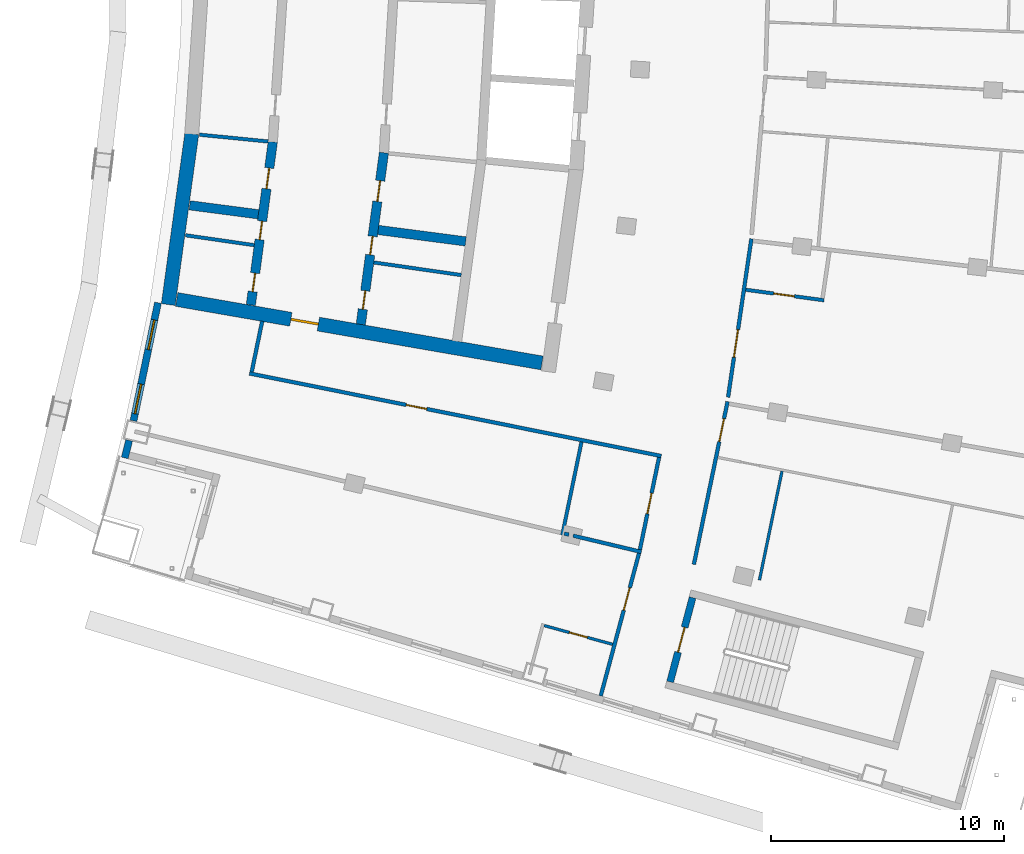
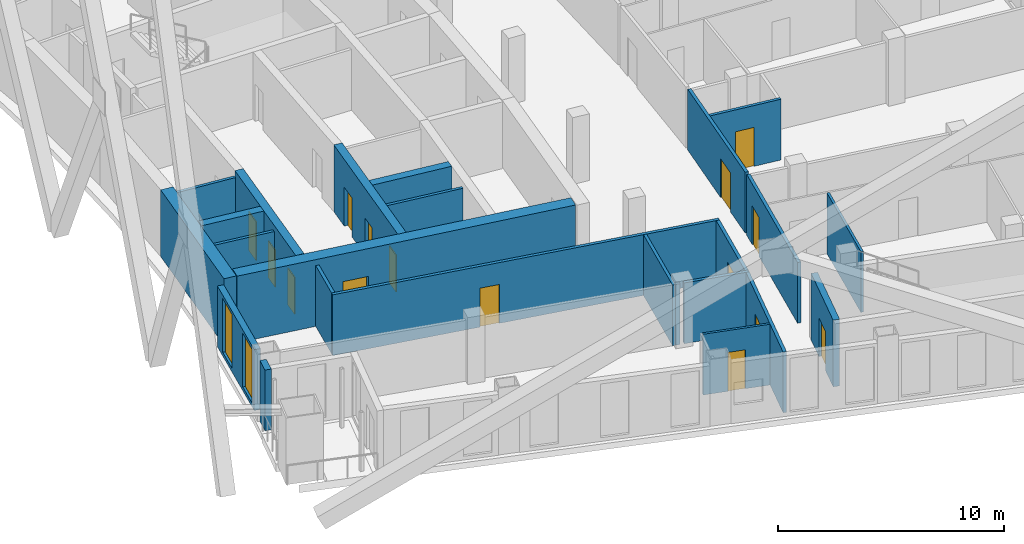
# One storey, part 10 of 20: 24 walls, 15 doors, 2 windows, 17 openings.
"""IFC4 building model written with IfcOpenShell, lengths in metres."""

from ifc_helpers import new_model, si_unit, direction, frame, frame_2d, origin, place, context, subcontext, project, spatial, rectangle, extrude, material, layer, layer_set, type_object, element, fill, save


model = new_model("IFC4")

# Units and contexts
model_context = context("Model", 3, precision=1e-05, world=origin(), true_north=direction((0.0, 1.0)))
body_context = subcontext(model_context, "Body", "Model", "MODEL_VIEW")
ifc_project = project(units=[si_unit("LENGTHUNIT", "METRE"), si_unit("AREAUNIT", "SQUARE_METRE"), si_unit("VOLUMEUNIT", "CUBIC_METRE"), si_unit("PLANEANGLEUNIT", "RADIAN"), si_unit("MASSUNIT", "GRAM", prefix="KILO")], contexts=[model_context])

# Site, building, storey
site_placement = place(None, origin())
site = spatial("IfcSite", under=ifc_project, at=site_placement, CompositionType="ELEMENT")
building_placement = place(site_placement, origin())
building = spatial("IfcBuilding", under=site, at=building_placement, Name="Alderwake Tower", CompositionType="ELEMENT")
storey_placement = place(building_placement, frame((0.0, 0.0, 189.199951171875)))
storey = spatial("IfcBuildingStorey", under=building, at=storey_placement, Name="L46", CompositionType="ELEMENT", Elevation=189.199951171875)

# Walls
ifc_material_1 = material(Name="Gypsum shaft wall system, rated")
ifc_layer_1 = layer(ifc_material_1, 0.14990234375)
ifc_layer_set_1 = layer_set([ifc_layer_1], Name="Core room partition 150")
wall_type_1 = type_object("IfcWallType", Name="Core room partition 150", PredefinedType="PARTITIONING", material=ifc_layer_set_1)
wall_1_placement = place(storey_placement, frame((16.064453125, 47.125, 0.0), z_axis=(0.0, 0.0, 1.0), x_axis=(0.989723849993, -0.142991960454, 0.0)))
element("IfcWall", 1, at=wall_1_placement, inside=storey, type_object=wall_type_1, Name="CW/L46/PR-150_+0", PredefinedType="PARTITIONING", context=body_context, shape_type="SweptSolid", body=[
    extrude(rectangle(XDim=2.98095703125, YDim=0.14990234375, at=frame_2d((1.490478515625, 0.0))), origin(), (0.0, 0.0, 1.0), 3.280029296875),
])
wall_2_placement = place(storey_placement, frame((24.158203125, 45.9560546875, 0.0), z_axis=(0.0, 0.0, 1.0), x_axis=(0.989724412664, -0.142988065858, 0.0)))
element("IfcWall", 2, at=wall_2_placement, inside=storey, type_object=wall_type_1, Name="CW/L46/PR-150_+86", PredefinedType="PARTITIONING", context=body_context, shape_type="SweptSolid", body=[
    extrude(rectangle(XDim=3.795654296875, YDim=0.14990234375, at=frame_2d((1.89794921875, 0.0))), origin(), (0.0, 0.0, 1.0), 3.280029296875),
])
wall_3_placement = place(storey_placement, frame((16.659423828125, 51.448486328125, 0.0), z_axis=(0.0, 0.0, 1.0), x_axis=(0.995154514796, -0.098323403527, 0.0)))
element("IfcWall", 3, at=wall_3_placement, inside=storey, type_object=wall_type_1, Name="CW/L46/PR-103_+0", PredefinedType="PARTITIONING", context=body_context, shape_type="SweptSolid", body=[
    extrude(rectangle(XDim=2.9697265625, YDim=0.14990234375, at=frame_2d((1.48486328125, 0.0))), origin(), (0.0, 0.0, 1.0), 3.280029296875),
])
ifc_material_2 = material(Name="Concrete C70/85", Category="concrete")
ifc_layer_2 = layer(ifc_material_2, 0.60009765625)
ifc_layer_set_2 = layer_set([ifc_layer_2], Name="Core wall outer 600 C70-85")
wall_type_2 = type_object("IfcWallType", Name="Core wall outer 600 C70-85", PredefinedType="SHEAR", material=ifc_layer_set_2)
wall_4_placement = place(storey_placement, frame((15.321533203125, 44.146240234375, 0.0), z_axis=(0.0, 0.0, 1.0), x_axis=(0.136316498814, 0.990665338119, 0.0)))
element("IfcWall", 4, at=wall_4_placement, inside=storey, type_object=wall_type_2, Name="Core wall CW.037", PredefinedType="SHEAR", context=body_context, shape_type="SweptSolid", body=[
    extrude(rectangle(XDim=7.41455078125, YDim=0.60009765625, at=frame_2d((3.707275390625, 0.0))), origin(), (0.0, 0.0, 1.0), 3.60009765625),
])

# Wall, opening, door
wall_5_placement = place(storey_placement, frame((31.386962890625, 41.63525390625, 0.0), z_axis=(0.0, 0.0, 1.0), x_axis=(-0.985223108003, 0.171275881127, 0.0)))
wall_5 = element("IfcWall", 5, at=wall_5_placement, inside=storey, type_object=wall_type_2, Name="Core wall CW.072", PredefinedType="SHEAR", context=body_context, shape_type="SweptSolid", body=[
    extrude(rectangle(XDim=15.937744140625, YDim=0.60009765625, at=frame_2d((7.96875, 0.0))), origin(), (0.0, 0.0, 1.0), 3.60009765625),
])
opening_1_placement = place(wall_5_placement, frame((9.757568359375, 0.0, 0.0)))
opening_1 = element("IfcOpeningElement", 6, at=opening_1_placement, cuts=wall_5, Name="Opening C003", PredefinedType="OPENING", context=body_context, shape_type="SweptSolid", body=[
    extrude(rectangle(XDim=1.199951171875, YDim=2.10009765625, at=frame_2d((0.60009765625, 1.050048828125))), frame((0.0, 0.31005859375, 0.0), z_axis=(0.0, -1.0, 0.0), x_axis=(1.0, 0.0, 0.0)), (0.0, 0.0, 1.0), 0.6201171875),
])
ifc_material_3 = material(Name="Steel-framed fire door leaf", Category="steel")
door_type_1 = type_object("IfcDoorType", Name="Core lobby exit door 1200 fire-rated", OperationType="SINGLE_SWING_LEFT", PredefinedType="DOOR", material=ifc_material_3)
door_1_placement = place(opening_1_placement, origin())
door_1 = element("IfcDoor", 7, at=door_1_placement, inside=storey, type_object=door_type_1, Name="Lobby door", OperationType="SINGLE_SWING_LEFT", OverallHeight=2.10009765625, OverallWidth=1.199951171875, PredefinedType="DOOR", context=body_context, shape_type="SweptSolid", body=[
    extrude(rectangle(XDim=1.199951171875, YDim=2.10009765625, at=frame_2d((0.60009765625, 1.050048828125))), frame((0.0, 0.050048828125, 0.0), z_axis=(0.0, -1.0, 0.0), x_axis=(1.0, 0.0, 0.0)), (0.0, 0.0, 1.0), 0.10009765625),
])
fill(opening_1, door_1)

# Wall, openings, doors
ifc_material_4 = material(Name="Concrete C70/85", Category="concrete")
ifc_layer_3 = layer(ifc_material_4, 0.39990234375)
ifc_layer_set_3 = layer_set([ifc_layer_3], Name="Core wall spine 400 C70-85")
wall_type_3 = type_object("IfcWallType", Name="Core wall spine 400 C70-85", PredefinedType="SHEAR", material=ifc_layer_set_3)
wall_6_placement = place(storey_placement, frame((19.814697265625, 51.143798828125, 0.0), z_axis=(0.0, 0.0, 1.0), x_axis=(-0.133333838703, -0.991071181831, 0.0)))
wall_6 = element("IfcWall", 8, at=wall_6_placement, inside=storey, type_object=wall_type_3, Name="Core wall CW.033", PredefinedType="SHEAR", context=body_context, shape_type="SweptSolid", body=[
    extrude(rectangle(XDim=7.078857421875, YDim=0.39990234375, at=frame_2d((3.53955078125, 0.0))), origin(), (0.0, 0.0, 1.0), 3.60009765625),
])
opening_2_placement = place(wall_6_placement, frame((5.69677734375, 0.0, 0.0)))
opening_2 = element("IfcOpeningElement", 9, at=opening_2_placement, cuts=wall_6, Name="Opening C008", PredefinedType="OPENING", context=body_context, shape_type="SweptSolid", body=[
    extrude(rectangle(XDim=0.800048828125, YDim=2.0, at=frame_2d((0.39990234375, 1.0))), frame((0.0, 0.2099609375, 0.0), z_axis=(0.0, -1.0, 0.0), x_axis=(1.0, 0.0, 0.0)), (0.0, 0.0, 1.0), 0.419921875),
])
opening_3_placement = place(wall_6_placement, frame((3.443115234375, 0.0, 0.0)))
opening_3 = element("IfcOpeningElement", 10, at=opening_3_placement, cuts=wall_6, Name="Opening C012", PredefinedType="OPENING", context=body_context, shape_type="SweptSolid", body=[
    extrude(rectangle(XDim=0.800048828125, YDim=2.0, at=frame_2d((0.39990234375, 1.0))), frame((0.0, 0.2099609375, 0.0), z_axis=(0.0, -1.0, 0.0), x_axis=(1.0, 0.0, 0.0)), (0.0, 0.0, 1.0), 0.419921875),
])
opening_4_placement = place(wall_6_placement, frame((1.13916015625, 0.0, 0.0)))
opening_4 = element("IfcOpeningElement", 11, at=opening_4_placement, cuts=wall_6, Name="Opening C039", PredefinedType="OPENING", context=body_context, shape_type="SweptSolid", body=[
    extrude(rectangle(XDim=0.89990234375, YDim=2.10009765625, at=frame_2d((0.449951171875, 1.050048828125))), frame((0.0, 0.2099609375, 0.0), z_axis=(0.0, -1.0, 0.0), x_axis=(1.0, 0.0, 0.0)), (0.0, 0.0, 1.0), 0.419921875),
])
ifc_material_5 = material(Name="Painted steel leaf", Category="steel")
door_type_2 = type_object("IfcDoorType", Name="Core room door 900", OperationType="SINGLE_SWING_LEFT", PredefinedType="DOOR", material=ifc_material_5)
door_2_placement = place(opening_4_placement, origin())
door_2 = element("IfcDoor", 12, at=door_2_placement, inside=storey, type_object=door_type_2, Name="Room door", OperationType="SINGLE_SWING_LEFT", OverallHeight=2.10009765625, OverallWidth=0.89990234375, PredefinedType="DOOR", context=body_context, shape_type="SweptSolid", body=[
    extrude(rectangle(XDim=0.89990234375, YDim=2.10009765625, at=frame_2d((0.449951171875, 1.050048828125))), frame((0.0, 0.02490234375, 0.0), z_axis=(0.0, -1.0, 0.0), x_axis=(1.0, 0.0, 0.0)), (0.0, 0.0, 1.0), 0.050048828125),
])
fill(opening_4, door_2)
ifc_material_6 = material(Name="Painted steel leaf, rated", Category="steel")
door_type_3 = type_object("IfcDoorType", Name="Riser access door 800", OperationType="SINGLE_SWING_LEFT", PredefinedType="DOOR", material=ifc_material_6)
door_3_placement = place(opening_2_placement, origin())
door_3 = element("IfcDoor", 13, at=door_3_placement, inside=storey, type_object=door_type_3, Name="Riser access door", OperationType="SINGLE_SWING_LEFT", OverallHeight=2.0, OverallWidth=0.800048828125, PredefinedType="DOOR", context=body_context, shape_type="SweptSolid", body=[
    extrude(rectangle(XDim=0.800048828125, YDim=2.0, at=frame_2d((0.39990234375, 1.0))), frame((0.0, 0.02490234375, 0.0), z_axis=(0.0, -1.0, 0.0), x_axis=(1.0, 0.0, 0.0)), (0.0, 0.0, 1.0), 0.050048828125),
])
fill(opening_2, door_3)
door_4_placement = place(opening_3_placement, origin())
door_4 = element("IfcDoor", 14, at=door_4_placement, inside=storey, type_object=door_type_3, Name="Riser access door", OperationType="SINGLE_SWING_RIGHT", OverallHeight=2.0, OverallWidth=0.800048828125, PredefinedType="DOOR", context=body_context, shape_type="SweptSolid", body=[
    extrude(rectangle(XDim=0.800048828125, YDim=2.0, at=frame_2d((0.39990234375, 1.0))), frame((0.0, 0.02490234375, 0.0), z_axis=(0.0, -1.0, 0.0), x_axis=(1.0, 0.0, 0.0)), (0.0, 0.0, 1.0), 0.050048828125),
])
fill(opening_3, door_4)

wall_7_placement = place(storey_placement, frame((23.597412109375, 43.29248046875, 0.0), z_axis=(0.0, 0.0, 1.0), x_axis=(0.133499326361, 0.99104890387, 0.0)))
wall_7 = element("IfcWall", 15, at=wall_7_placement, inside=storey, type_object=wall_type_3, Name="Core wall CW.047", PredefinedType="SHEAR", context=body_context, shape_type="SweptSolid", body=[
    extrude(rectangle(XDim=7.44677734375, YDim=0.39990234375, at=frame_2d((3.723388671875, 0.0))), origin(), (0.0, 0.0, 1.0), 3.60009765625),
])
opening_5_placement = place(wall_7_placement, frame((0.65771484375, 0.0, 0.0)))
opening_5 = element("IfcOpeningElement", 16, at=opening_5_placement, cuts=wall_7, Name="Opening C015", PredefinedType="OPENING", context=body_context, shape_type="SweptSolid", body=[
    extrude(rectangle(XDim=0.800048828125, YDim=2.0, at=frame_2d((0.39990234375, 1.0))), frame((0.0, 0.2099609375, 0.0), z_axis=(0.0, -1.0, 0.0), x_axis=(1.0, 0.0, 0.0)), (0.0, 0.0, 1.0), 0.419921875),
])
opening_6_placement = place(wall_7_placement, frame((3.019287109375, 0.0, 0.0)))
opening_6 = element("IfcOpeningElement", 17, at=opening_6_placement, cuts=wall_7, Name="Opening C019", PredefinedType="OPENING", context=body_context, shape_type="SweptSolid", body=[
    extrude(rectangle(XDim=0.800048828125, YDim=2.0, at=frame_2d((0.39990234375, 1.0))), frame((0.0, 0.2099609375, 0.0), z_axis=(0.0, -1.0, 0.0), x_axis=(1.0, 0.0, 0.0)), (0.0, 0.0, 1.0), 0.419921875),
])
opening_7_placement = place(wall_7_placement, frame((5.331298828125, 0.0, 0.0)))
opening_7 = element("IfcOpeningElement", 18, at=opening_7_placement, cuts=wall_7, Name="Opening C045", PredefinedType="OPENING", context=body_context, shape_type="SweptSolid", body=[
    extrude(rectangle(XDim=0.89990234375, YDim=2.10009765625, at=frame_2d((0.449951171875, 1.050048828125))), frame((0.0, 0.2099609375, 0.0), z_axis=(0.0, -1.0, 0.0), x_axis=(1.0, 0.0, 0.0)), (0.0, 0.0, 1.0), 0.419921875),
])
door_5_placement = place(opening_7_placement, origin())
door_5 = element("IfcDoor", 19, at=door_5_placement, inside=storey, type_object=door_type_2, Name="Room door", OperationType="SINGLE_SWING_LEFT", OverallHeight=2.10009765625, OverallWidth=0.89990234375, PredefinedType="DOOR", context=body_context, shape_type="SweptSolid", body=[
    extrude(rectangle(XDim=0.89990234375, YDim=2.10009765625, at=frame_2d((0.449951171875, 1.050048828125))), frame((0.0, 0.02490234375, 0.0), z_axis=(0.0, -1.0, 0.0), x_axis=(1.0, 0.0, 0.0)), (0.0, 0.0, 1.0), 0.050048828125),
])
fill(opening_7, door_5)
door_6_placement = place(opening_5_placement, origin())
door_6 = element("IfcDoor", 20, at=door_6_placement, inside=storey, type_object=door_type_3, Name="Riser access door", OperationType="SINGLE_SWING_LEFT", OverallHeight=2.0, OverallWidth=0.800048828125, PredefinedType="DOOR", context=body_context, shape_type="SweptSolid", body=[
    extrude(rectangle(XDim=0.800048828125, YDim=2.0, at=frame_2d((0.39990234375, 1.0))), frame((0.0, 0.02490234375, 0.0), z_axis=(0.0, -1.0, 0.0), x_axis=(1.0, 0.0, 0.0)), (0.0, 0.0, 1.0), 0.050048828125),
])
fill(opening_5, door_6)
door_7_placement = place(opening_6_placement, origin())
door_7 = element("IfcDoor", 21, at=door_7_placement, inside=storey, type_object=door_type_3, Name="Riser access door", OperationType="SINGLE_SWING_RIGHT", OverallHeight=2.0, OverallWidth=0.800048828125, PredefinedType="DOOR", context=body_context, shape_type="SweptSolid", body=[
    extrude(rectangle(XDim=0.800048828125, YDim=2.0, at=frame_2d((0.39990234375, 1.0))), frame((0.0, 0.02490234375, 0.0), z_axis=(0.0, -1.0, 0.0), x_axis=(1.0, 0.0, 0.0)), (0.0, 0.0, 1.0), 0.050048828125),
])
fill(opening_6, door_7)

# Walls
wall_8_placement = place(storey_placement, frame((16.24169921875, 48.412353515625, 0.0), z_axis=(0.0, 0.0, 1.0), x_axis=(0.991548658387, -0.129735338481, 0.0)))
element("IfcWall", 22, at=wall_8_placement, inside=storey, type_object=wall_type_3, Name="Core wall CW.067", PredefinedType="SHEAR", context=body_context, shape_type="SweptSolid", body=[
    extrude(rectangle(XDim=2.97705078125, YDim=0.39990234375, at=frame_2d((1.488525390625, 0.0))), origin(), (0.0, 0.0, 1.0), 3.60009765625),
])
wall_9_placement = place(storey_placement, frame((24.34619140625, 47.352294921875, 0.0), z_axis=(0.0, 0.0, 1.0), x_axis=(0.991554071493, -0.129693960172, 0.0)))
element("IfcWall", 23, at=wall_9_placement, inside=storey, type_object=wall_type_3, Name="Core wall CW.069", PredefinedType="SHEAR", context=body_context, shape_type="SweptSolid", body=[
    extrude(rectangle(XDim=3.794921875, YDim=0.39990234375, at=frame_2d((1.8974609375, 0.0))), origin(), (0.0, 0.0, 1.0), 3.60009765625),
])

# Wall, opening, door
ifc_material_7 = material(Name="Concrete C70/85", Category="concrete")
ifc_layer_4 = layer(ifc_material_7, 0.300048828125)
ifc_layer_set_4 = layer_set([ifc_layer_4], Name="Core wall stair enclosure 300 C70-85")
wall_type_4 = type_object("IfcWallType", Name="Core wall stair enclosure 300 C70-85", PredefinedType="SHEAR", material=ifc_layer_set_4)
wall_10_placement = place(storey_placement, frame((36.89501953125, 27.923828125, 0.0), z_axis=(0.0, 0.0, 1.0), x_axis=(0.257350630826, 0.966318090907, 0.0)))
wall_10 = element("IfcWall", 24, at=wall_10_placement, inside=storey, type_object=wall_type_4, Name="Core wall CW.087", PredefinedType="SHEAR", context=body_context, shape_type="SweptSolid", body=[
    extrude(rectangle(XDim=3.75, YDim=0.300048828125, at=frame_2d((1.875, 0.0))), origin(), (0.0, 0.0, 1.0), 3.60009765625),
])
opening_8_placement = place(wall_10_placement, frame((1.324951171875, 0.0, 0.0)))
opening_8 = element("IfcOpeningElement", 25, at=opening_8_placement, cuts=wall_10, Name="Opening C065", PredefinedType="OPENING", context=body_context, shape_type="SweptSolid", body=[
    extrude(rectangle(XDim=1.10009765625, YDim=2.10009765625, at=frame_2d((0.550048828125, 1.050048828125))), frame((0.0, 0.159912109375, 0.0), z_axis=(0.0, -1.0, 0.0), x_axis=(1.0, 0.0, 0.0)), (0.0, 0.0, 1.0), 0.320068359375),
])
ifc_material_8 = material(Name="Steel-framed fire door leaf", Category="steel")
door_type_4 = type_object("IfcDoorType", Name="Core stair door 1100 fire-rated", OperationType="SINGLE_SWING_LEFT", PredefinedType="DOOR", material=ifc_material_8)
door_8_placement = place(opening_8_placement, origin())
door_8 = element("IfcDoor", 26, at=door_8_placement, inside=storey, type_object=door_type_4, Name="Stair door", OperationType="SINGLE_SWING_RIGHT", OverallHeight=2.10009765625, OverallWidth=1.10009765625, PredefinedType="DOOR", context=body_context, shape_type="SweptSolid", body=[
    extrude(rectangle(XDim=1.10009765625, YDim=2.10009765625, at=frame_2d((0.550048828125, 1.050048828125))), frame((0.0, 0.02490234375, 0.0), z_axis=(0.0, -1.0, 0.0), x_axis=(1.0, 0.0, 0.0)), (0.0, 0.0, 1.0), 0.050048828125),
])
fill(opening_8, door_8)

ifc_material_9 = material(Name="Gypsum board on metal studs, rated")
ifc_layer_5 = layer(ifc_material_9, 0.159912109375)
ifc_layer_set_5 = layer_set([ifc_layer_5], Name="Corridor wall 160")
wall_type_5 = type_object("IfcWallType", Name="Corridor wall 160", PredefinedType="PARTITIONING", material=ifc_layer_set_5)
wall_11_placement = place(storey_placement, frame((36.513427734375, 37.63427734375, 0.0), z_axis=(0.0, 0.0, 1.0), x_axis=(-0.980470254867, 0.1966674333, 0.0)))
wall_11 = element("IfcWall", 27, at=wall_11_placement, inside=storey, type_object=wall_type_5, Name="WL/L46/W09", PredefinedType="PARTITIONING", context=body_context, shape_type="SweptSolid", body=[
    extrude(rectangle(XDim=18.053466796875, YDim=0.159912109375, at=frame_2d((9.02685546875, 0.0))), origin(), (0.0, 0.0, 1.0), 3.280029296875),
])
opening_9_placement = place(wall_11_placement, frame((10.277099609375, 0.0, 0.0)))
opening_9 = element("IfcOpeningElement", 28, at=opening_9_placement, cuts=wall_11, Name="Opening R13-SBS1", PredefinedType="OPENING", context=body_context, shape_type="SweptSolid", body=[
    extrude(rectangle(XDim=0.89990234375, YDim=2.10009765625, at=frame_2d((0.449951171875, 1.050048828125))), frame((0.0, 0.08984375, 0.0), z_axis=(0.0, -1.0, 0.0), x_axis=(1.0, 0.0, 0.0)), (0.0, 0.0, 1.0), 0.179931640625),
])
ifc_material_10 = material(Name="Painted timber leaf", Category="wood")
door_type_5 = type_object("IfcDoorType", Name="Room door 900", OperationType="SINGLE_SWING_LEFT", PredefinedType="DOOR", material=ifc_material_10)
door_9_placement = place(opening_9_placement, origin())
door_9 = element("IfcDoor", 29, at=door_9_placement, inside=storey, type_object=door_type_5, Name="DR/L46/SBS1", OperationType="SINGLE_SWING_LEFT", OverallHeight=2.10009765625, OverallWidth=0.89990234375, PredefinedType="DOOR", context=body_context, shape_type="SweptSolid", body=[
    extrude(rectangle(XDim=0.89990234375, YDim=2.10009765625, at=frame_2d((0.449951171875, 1.050048828125))), frame((0.0, 0.02490234375, 0.0), z_axis=(0.0, -1.0, 0.0), x_axis=(1.0, 0.0, 0.0)), (0.0, 0.0, 1.0), 0.050048828125),
])
fill(opening_9, door_9)

# Walls
wall_12_placement = place(storey_placement, frame((19.35888671875, 43.430908203125, 0.0), z_axis=(0.0, 0.0, 1.0), x_axis=(-0.202554916658, -0.979270905183, 0.0)))
element("IfcWall", 30, at=wall_12_placement, inside=storey, type_object=wall_type_5, Name="WL/L46/W10", PredefinedType="PARTITIONING", context=body_context, shape_type="SweptSolid", body=[
    extrude(rectangle(XDim=2.229736328125, YDim=0.159912109375, at=frame_2d((1.11474609375, 0.0))), origin(), (0.0, 0.0, 1.0), 3.280029296875),
])
wall_13_placement = place(storey_placement, frame((32.343994140625, 34.300048828125, 0.0), z_axis=(0.0, 0.0, 1.0), x_axis=(0.974391195695, -0.224859506699, 0.0)))
element("IfcWall", 31, at=wall_13_placement, inside=storey, type_object=wall_type_5, Name="WL/L46/W12", PredefinedType="PARTITIONING", context=body_context, shape_type="SweptSolid", body=[
    extrude(rectangle(XDim=0.205322265625, YDim=0.159912109375, at=frame_2d((0.1025390625, 0.0))), origin(), (0.0, 0.0, 1.0), 3.280029296875),
])
wall_14_placement = place(storey_placement, frame((32.725341796875, 34.210205078125, 0.0), z_axis=(0.0, 0.0, 1.0), x_axis=(0.972838360224, -0.231485474442, 0.0)))
element("IfcWall", 32, at=wall_14_placement, inside=storey, type_object=wall_type_5, Name="WL/L46/W13", PredefinedType="PARTITIONING", context=body_context, shape_type="SweptSolid", body=[
    extrude(rectangle(XDim=3.01416015625, YDim=0.159912109375, at=frame_2d((1.507080078125, 0.0))), origin(), (0.0, 0.0, 1.0), 3.280029296875),
])

# Wall, opening, door
wall_15_placement = place(storey_placement, frame((33.912109375, 27.321044921875, 0.0), z_axis=(0.0, 0.0, 1.0), x_axis=(0.259370874835, 0.965777794986, 0.0)))
wall_15 = element("IfcWall", 33, at=wall_15_placement, inside=storey, type_object=wall_type_5, Name="WL/L46/W15", PredefinedType="PARTITIONING", context=body_context, shape_type="SweptSolid", body=[
    extrude(rectangle(XDim=6.349853515625, YDim=0.159912109375, at=frame_2d((3.1748046875, 0.0))), origin(), (0.0, 0.0, 1.0), 3.280029296875),
])
opening_10_placement = place(wall_15_placement, frame((3.811279296875, 0.0, 0.0)))
opening_10 = element("IfcOpeningElement", 34, at=opening_10_placement, cuts=wall_15, Name="Opening R13-U08.1", PredefinedType="OPENING", context=body_context, shape_type="SweptSolid", body=[
    extrude(rectangle(XDim=1.0, YDim=2.10009765625, at=frame_2d((0.5, 1.050048828125))), frame((0.0, 0.08984375, 0.0), z_axis=(0.0, -1.0, 0.0), x_axis=(1.0, 0.0, 0.0)), (0.0, 0.0, 1.0), 0.179931640625),
])
ifc_material_11 = material(Name="Solid timber leaf in steel frame", Category="steel")
door_type_6 = type_object("IfcDoorType", Name="Flat entrance door 1000 fire-rated", OperationType="SINGLE_SWING_LEFT", PredefinedType="DOOR", material=ifc_material_11)
door_10_placement = place(opening_10_placement, origin())
door_10 = element("IfcDoor", 35, at=door_10_placement, inside=storey, type_object=door_type_6, Name="DR/L46/U08.1", OperationType="SINGLE_SWING_LEFT", OverallHeight=2.10009765625, OverallWidth=1.0, PredefinedType="DOOR", context=body_context, shape_type="SweptSolid", body=[
    extrude(rectangle(XDim=1.0, YDim=2.10009765625, at=frame_2d((0.5, 1.050048828125))), frame((0.0, 0.02490234375, 0.0), z_axis=(0.0, -1.0, 0.0), x_axis=(1.0, 0.0, 0.0)), (0.0, 0.0, 1.0), 0.050048828125),
])
fill(opening_10, door_10)

wall_16_placement = place(storey_placement, frame((35.59619140625, 33.609375, 0.0), z_axis=(0.0, 0.0, 1.0), x_axis=(0.203245920818, 0.979127721838, 0.0)))
wall_16 = element("IfcWall", 36, at=wall_16_placement, inside=storey, type_object=wall_type_5, Name="WL/L46/W18", PredefinedType="PARTITIONING", context=body_context, shape_type="SweptSolid", body=[
    extrude(rectangle(XDim=4.046875, YDim=0.159912109375, at=frame_2d((2.0234375, 0.0))), origin(), (0.0, 0.0, 1.0), 3.280029296875),
])
opening_11_placement = place(wall_16_placement, frame((1.573486328125, 0.0, 0.0)))
opening_11 = element("IfcOpeningElement", 37, at=opening_11_placement, cuts=wall_16, Name="Opening R13-SBS2", PredefinedType="OPENING", context=body_context, shape_type="SweptSolid", body=[
    extrude(rectangle(XDim=0.89990234375, YDim=2.10009765625, at=frame_2d((0.449951171875, 1.050048828125))), frame((0.0, 0.08984375, 0.0), z_axis=(0.0, -1.0, 0.0), x_axis=(1.0, 0.0, 0.0)), (0.0, 0.0, 1.0), 0.179931640625),
])
door_11_placement = place(opening_11_placement, origin())
door_11 = element("IfcDoor", 38, at=door_11_placement, inside=storey, type_object=door_type_5, Name="DR/L46/SBS2", OperationType="SINGLE_SWING_LEFT", OverallHeight=2.10009765625, OverallWidth=0.89990234375, PredefinedType="DOOR", context=body_context, shape_type="SweptSolid", body=[
    extrude(rectangle(XDim=0.89990234375, YDim=2.10009765625, at=frame_2d((0.449951171875, 1.050048828125))), frame((0.0, 0.02490234375, 0.0), z_axis=(0.0, -1.0, 0.0), x_axis=(1.0, 0.0, 0.0)), (0.0, 0.0, 1.0), 0.050048828125),
])
fill(opening_11, door_11)

wall_17_placement = place(storey_placement, frame((39.3642578125, 39.975341796875, 0.0), z_axis=(0.0, 0.0, 1.0), x_axis=(-0.202490391407, -0.979284249535, 0.0)))
wall_17 = element("IfcWall", 39, at=wall_17_placement, inside=storey, type_object=wall_type_5, Name="WL/L46/W20", PredefinedType="PARTITIONING", context=body_context, shape_type="SweptSolid", body=[
    extrude(rectangle(XDim=7.147216796875, YDim=0.159912109375, at=frame_2d((3.57373046875, 0.0))), origin(), (0.0, 0.0, 1.0), 3.280029296875),
])
opening_12_placement = place(wall_17_placement, frame((0.7568359375, 0.0, 0.0)))
opening_12 = element("IfcOpeningElement", 40, at=opening_12_placement, cuts=wall_17, Name="Opening R13-U03.2", PredefinedType="OPENING", context=body_context, shape_type="SweptSolid", body=[
    extrude(rectangle(XDim=1.0, YDim=2.10009765625, at=frame_2d((0.5, 1.050048828125))), frame((0.0, 0.08984375, 0.0), z_axis=(0.0, -1.0, 0.0), x_axis=(1.0, 0.0, 0.0)), (0.0, 0.0, 1.0), 0.179931640625),
])
door_12_placement = place(opening_12_placement, origin())
door_12 = element("IfcDoor", 41, at=door_12_placement, inside=storey, type_object=door_type_6, Name="DR/L46/U03.2", OperationType="SINGLE_SWING_LEFT", OverallHeight=2.10009765625, OverallWidth=1.0, PredefinedType="DOOR", context=body_context, shape_type="SweptSolid", body=[
    extrude(rectangle(XDim=1.0, YDim=2.10009765625, at=frame_2d((0.5, 1.050048828125))), frame((0.0, 0.02490234375, 0.0), z_axis=(0.0, -1.0, 0.0), x_axis=(1.0, 0.0, 0.0)), (0.0, 0.0, 1.0), 0.050048828125),
])
fill(opening_12, door_12)

wall_18_placement = place(storey_placement, frame((40.388671875, 46.97216796875, 0.0), z_axis=(0.0, 0.0, 1.0), x_axis=(-0.145535848078, -0.989352978933, 0.0)))
wall_18 = element("IfcWall", 42, at=wall_18_placement, inside=storey, type_object=wall_type_5, Name="WL/L46/W21", PredefinedType="PARTITIONING", context=body_context, shape_type="SweptSolid", body=[
    extrude(rectangle(XDim=6.884521484375, YDim=0.159912109375, at=frame_2d((3.4423828125, 0.0))), origin(), (0.0, 0.0, 1.0), 3.280029296875),
])
opening_13_placement = place(wall_18_placement, frame((3.943115234375, 0.0, 0.0)))
opening_13 = element("IfcOpeningElement", 43, at=opening_13_placement, cuts=wall_18, Name="Opening R13-AM1.1", PredefinedType="OPENING", context=body_context, shape_type="SweptSolid", body=[
    extrude(rectangle(XDim=1.199951171875, YDim=2.10009765625, at=frame_2d((0.60009765625, 1.050048828125))), frame((0.0, 0.08984375, 0.0), z_axis=(0.0, -1.0, 0.0), x_axis=(1.0, 0.0, 0.0)), (0.0, 0.0, 1.0), 0.179931640625),
])
ifc_material_12 = material(Name="Steel-framed fire door leaf", Category="steel")
door_type_7 = type_object("IfcDoorType", Name="Lobby door 1200 fire-rated", OperationType="SINGLE_SWING_LEFT", PredefinedType="DOOR", material=ifc_material_12)
door_13_placement = place(opening_13_placement, origin())
door_13 = element("IfcDoor", 44, at=door_13_placement, inside=storey, type_object=door_type_7, Name="DR/L46/AM1.1", OperationType="SINGLE_SWING_LEFT", OverallHeight=2.10009765625, OverallWidth=1.199951171875, PredefinedType="DOOR", context=body_context, shape_type="SweptSolid", body=[
    extrude(rectangle(XDim=1.199951171875, YDim=2.10009765625, at=frame_2d((0.60009765625, 1.050048828125))), frame((0.0, 0.02490234375, 0.0), z_axis=(0.0, -1.0, 0.0), x_axis=(1.0, 0.0, 0.0)), (0.0, 0.0, 1.0), 0.050048828125),
])
fill(opening_13, door_13)

# Wall
ifc_material_13 = material(Name="Precast concrete C50/60 spandrel panel", Category="concrete")
ifc_layer_6 = layer(ifc_material_13, 0.300048828125)
ifc_layer_set_6 = layer_set([ifc_layer_6], Name="External wall EW1 Precast concrete C50/60 spandrel")
wall_type_6 = type_object("IfcWallType", Name="External wall EW1 Precast concrete C50/60 spandrel", PredefinedType="SOLIDWALL", material=ifc_layer_set_6)
wall_19_placement = place(storey_placement, frame((13.63720703125, 38.30712890625, 0.0), z_axis=(0.0, 0.0, 1.0), x_axis=(-0.23817684901, -0.971221801957, 0.0)))
element("IfcWall", 45, at=wall_19_placement, inside=storey, type_object=wall_type_6, Name="External wall 1", PredefinedType="SOLIDWALL", context=body_context, shape_type="SweptSolid", body=[
    extrude(rectangle(XDim=0.778076171875, YDim=0.300048828125, at=frame_2d((0.38916015625, 0.0))), origin(), (0.0, 0.0, 1.0), 3.280029296875),
])

# Wall, openings, windows
wall_20_placement = place(storey_placement, frame((14.878173828125, 44.223388671875, 0.0), z_axis=(0.0, 0.0, 1.0), x_axis=(-0.202730149235, -0.979234643276, 0.0)))
wall_20 = element("IfcWall", 46, at=wall_20_placement, inside=storey, type_object=wall_type_6, Name="External wall 32", PredefinedType="SOLIDWALL", context=body_context, shape_type="SweptSolid", body=[
    extrude(rectangle(XDim=5.185546875, YDim=0.300048828125, at=frame_2d((2.5927734375, 0.0))), origin(), (0.0, 0.0, 1.0), 3.280029296875),
])
opening_14_placement = place(wall_20_placement, frame((0.75634765625, 0.0, 0.199951171875)))
opening_14 = element("IfcOpeningElement", 47, at=opening_14_placement, cuts=wall_20, Name="Opening W1", PredefinedType="OPENING", context=body_context, shape_type="SweptSolid", body=[
    extrude(rectangle(XDim=1.300048828125, YDim=2.89990234375, at=frame_2d((0.64990234375, 1.449951171875))), frame((0.0, 0.159912109375, 0.0), z_axis=(0.0, -1.0, 0.0), x_axis=(1.0, 0.0, 0.0)), (0.0, 0.0, 1.0), 0.320068359375),
])
opening_15_placement = place(wall_20_placement, frame((3.569091796875, 0.0, 0.199951171875)))
opening_15 = element("IfcOpeningElement", 48, at=opening_15_placement, cuts=wall_20, Name="Opening W1", PredefinedType="OPENING", context=body_context, shape_type="SweptSolid", body=[
    extrude(rectangle(XDim=1.300048828125, YDim=2.89990234375, at=frame_2d((0.64990234375, 1.449951171875))), frame((0.0, 0.159912109375, 0.0), z_axis=(0.0, -1.0, 0.0), x_axis=(1.0, 0.0, 0.0)), (0.0, 0.0, 1.0), 0.320068359375),
])
ifc_material_14 = material(Name="Bronze tinted glass in aluminium frame", Category="aluminium")
window_type = type_object("IfcWindowType", Name="Window W1 tall fixed and vent", PartitioningType="DOUBLE_PANEL_VERTICAL", PredefinedType="WINDOW", material=ifc_material_14)
window_1_placement = place(opening_14_placement, origin())
window_1 = element("IfcWindow", 49, at=window_1_placement, inside=storey, type_object=window_type, Name="Window W1 tall fixed and vent", OverallHeight=2.89990234375, OverallWidth=1.300048828125, PartitioningType="DOUBLE_PANEL_VERTICAL", PredefinedType="WINDOW", context=body_context, shape_type="SweptSolid", body=[
    extrude(rectangle(XDim=1.300048828125, YDim=2.89990234375, at=frame_2d((0.64990234375, 1.449951171875))), frame((0.0, 0.030029296875, 0.0), z_axis=(0.0, -1.0, 0.0), x_axis=(1.0, 0.0, 0.0)), (0.0, 0.0, 1.0), 0.06005859375),
])
fill(opening_14, window_1)
window_2_placement = place(opening_15_placement, origin())
window_2 = element("IfcWindow", 50, at=window_2_placement, inside=storey, type_object=window_type, Name="Window W1 tall fixed and vent", OverallHeight=2.89990234375, OverallWidth=1.300048828125, PartitioningType="DOUBLE_PANEL_VERTICAL", PredefinedType="WINDOW", context=body_context, shape_type="SweptSolid", body=[
    extrude(rectangle(XDim=1.300048828125, YDim=2.89990234375, at=frame_2d((0.64990234375, 1.449951171875))), frame((0.0, 0.030029296875, 0.0), z_axis=(0.0, -1.0, 0.0), x_axis=(1.0, 0.0, 0.0)), (0.0, 0.0, 1.0), 0.06005859375),
])
fill(opening_15, window_2)

# Wall
ifc_material_15 = material(Name="Gypsum shaft wall system, rated")
ifc_layer_7 = layer(ifc_material_15, 0.14990234375)
ifc_layer_set_7 = layer_set([ifc_layer_7], Name="Riser and shaft wall 150")
wall_type_7 = type_object("IfcWallType", Name="Riser and shaft wall 150", PredefinedType="PARTITIONING", material=ifc_layer_set_7)
wall_21_placement = place(storey_placement, frame((32.2578125, 34.23876953125, 0.0), z_axis=(0.0, 0.0, 1.0), x_axis=(0.202579923059, 0.979265732462, 0.0)))
element("IfcWall", 51, at=wall_21_placement, inside=storey, type_object=wall_type_7, Name="WL/L46/W04", PredefinedType="PARTITIONING", context=body_context, shape_type="SweptSolid", body=[
    extrude(rectangle(XDim=4.086669921875, YDim=0.14990234375, at=frame_2d((2.04345703125, 0.0))), origin(), (0.0, 0.0, 1.0), 3.280029296875),
])

# Wall, opening, door
wall_22_placement = place(storey_placement, frame((40.147216796875, 44.7822265625, 0.0), z_axis=(0.0, 0.0, 1.0), x_axis=(0.991087891329, -0.133209577962, 0.0)))
wall_22 = element("IfcWall", 52, at=wall_22_placement, inside=storey, type_object=wall_type_7, Name="WL/L46/W06", PredefinedType="PARTITIONING", context=body_context, shape_type="SweptSolid", body=[
    extrude(rectangle(XDim=3.394287109375, YDim=0.14990234375, at=frame_2d((1.697265625, 0.0))), origin(), (0.0, 0.0, 1.0), 3.280029296875),
])
opening_16_placement = place(wall_22_placement, frame((1.209228515625, 0.0, 0.0)))
opening_16 = element("IfcOpeningElement", 53, at=opening_16_placement, cuts=wall_22, Name="Opening R13-AM1.2", PredefinedType="OPENING", context=body_context, shape_type="SweptSolid", body=[
    extrude(rectangle(XDim=0.89990234375, YDim=2.10009765625, at=frame_2d((0.449951171875, 1.050048828125))), frame((0.0, 0.0849609375, 0.0), z_axis=(0.0, -1.0, 0.0), x_axis=(1.0, 0.0, 0.0)), (0.0, 0.0, 1.0), 0.169921875),
])
door_14_placement = place(opening_16_placement, origin())
door_14 = element("IfcDoor", 54, at=door_14_placement, inside=storey, type_object=door_type_5, Name="DR/L46/AM1.2", OperationType="SINGLE_SWING_LEFT", OverallHeight=2.10009765625, OverallWidth=0.89990234375, PredefinedType="DOOR", context=body_context, shape_type="SweptSolid", body=[
    extrude(rectangle(XDim=0.89990234375, YDim=2.10009765625, at=frame_2d((0.449951171875, 1.050048828125))), frame((0.0, 0.02490234375, 0.0), z_axis=(0.0, -1.0, 0.0), x_axis=(1.0, 0.0, 0.0)), (0.0, 0.0, 1.0), 0.050048828125),
])
fill(opening_16, door_14)

ifc_material_16 = material(Name="Moisture resistant gypsum board on metal studs")
ifc_layer_8 = layer(ifc_material_16, 0.1201171875)
ifc_layer_set_8 = layer_set([ifc_layer_8], Name="Wet room partition 120")
wall_type_8 = type_object("IfcWallType", Name="Wet room partition 120", PredefinedType="PARTITIONING", material=ifc_layer_set_8)
wall_23_placement = place(storey_placement, frame((34.42578125, 29.5380859375, 0.0), z_axis=(0.0, 0.0, 1.0), x_axis=(-0.964362903476, 0.264583050097, 0.0)))
wall_23 = element("IfcWall", 55, at=wall_23_placement, inside=storey, type_object=wall_type_8, Name="WL/L46/W33", PredefinedType="PARTITIONING", context=body_context, shape_type="SweptSolid", body=[
    extrude(rectangle(XDim=3.057861328125, YDim=0.1201171875, at=frame_2d((1.52880859375, 0.0))), origin(), (0.0, 0.0, 1.0), 3.280029296875),
])
opening_17_placement = place(wall_23_placement, frame((1.12890625, 0.0, 0.0)))
opening_17 = element("IfcOpeningElement", 56, at=opening_17_placement, cuts=wall_23, Name="Opening R13-U08.2", PredefinedType="OPENING", context=body_context, shape_type="SweptSolid", body=[
    extrude(rectangle(XDim=0.800048828125, YDim=2.10009765625, at=frame_2d((0.39990234375, 1.050048828125))), frame((0.0, 0.070068359375, 0.0), z_axis=(0.0, -1.0, 0.0), x_axis=(1.0, 0.0, 0.0)), (0.0, 0.0, 1.0), 0.14013671875),
])
ifc_material_17 = material(Name="Painted timber leaf", Category="wood")
door_type_8 = type_object("IfcDoorType", Name="Bathroom door 800", OperationType="SINGLE_SWING_LEFT", PredefinedType="DOOR", material=ifc_material_17)
door_15_placement = place(opening_17_placement, origin())
door_15 = element("IfcDoor", 57, at=door_15_placement, inside=storey, type_object=door_type_8, Name="DR/L46/U08.2", OperationType="SINGLE_SWING_LEFT", OverallHeight=2.10009765625, OverallWidth=0.800048828125, PredefinedType="DOOR", context=body_context, shape_type="SweptSolid", body=[
    extrude(rectangle(XDim=0.800048828125, YDim=2.10009765625, at=frame_2d((0.39990234375, 1.050048828125))), frame((0.0, 0.02490234375, 0.0), z_axis=(0.0, -1.0, 0.0), x_axis=(1.0, 0.0, 0.0)), (0.0, 0.0, 1.0), 0.050048828125),
])
fill(opening_17, door_15)

# Wall
wall_24_placement = place(storey_placement, frame((40.737060546875, 32.303955078125, 0.0), z_axis=(0.0, 0.0, 1.0), x_axis=(0.202548156077, 0.979272303535, 0.0)))
element("IfcWall", 58, at=wall_24_placement, inside=storey, type_object=wall_type_8, Name="WL/L46/W34", PredefinedType="PARTITIONING", context=body_context, shape_type="SweptSolid", body=[
    extrude(rectangle(XDim=4.778076171875, YDim=0.1201171875, at=frame_2d((2.38916015625, 0.0))), origin(), (0.0, 0.0, 1.0), 3.280029296875),
])

save(model, "model.ifc")
